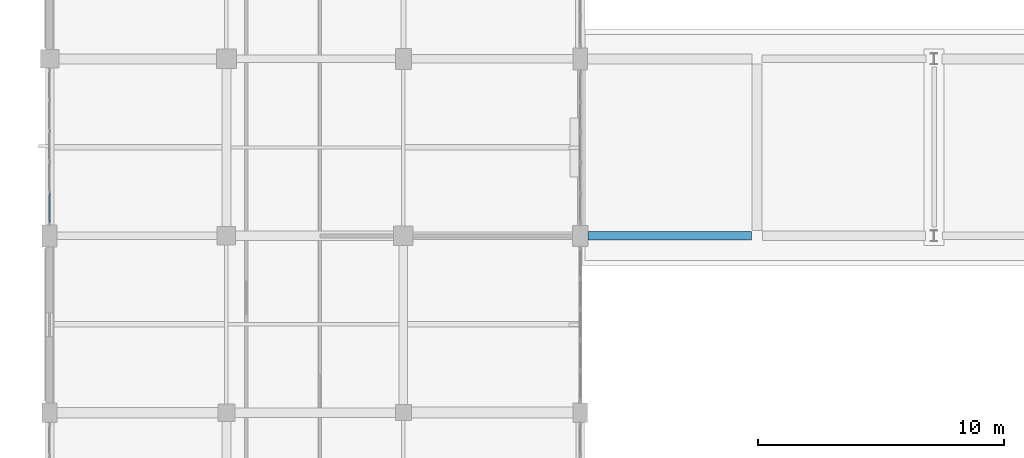
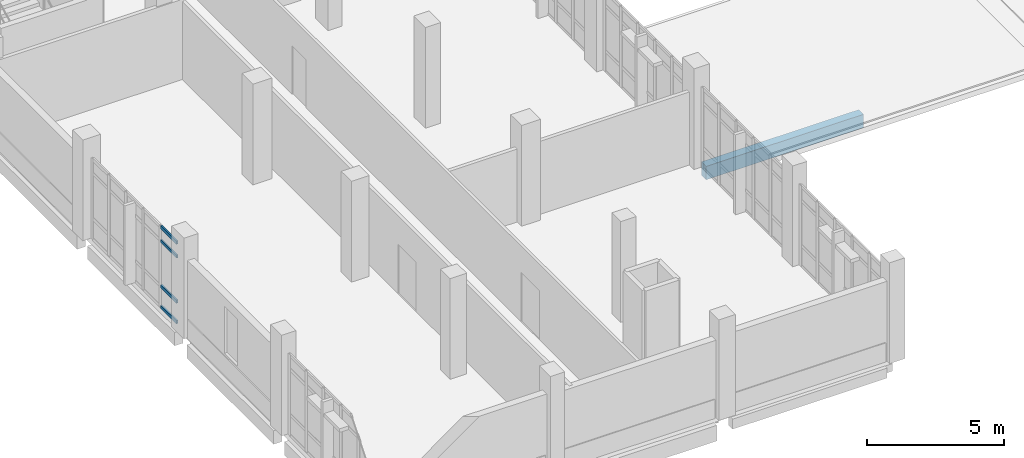
# One storey, part 14 of 134: 4 members, 1 beam, 1 element without a shape of its own.
"""IFC4 building model written with IfcOpenShell, lengths in metres."""

from ifc_helpers import new_model, si_unit, direction, frame, origin, origin_2d, place, context, subcontext, project, spatial, rectangle, hollow_rectangle, extrude, material, material_profile, profile_set, type_object, element, aggregate, save


model = new_model("IFC4")

# Units and contexts
model_context = context("Model", 3, precision=1e-05, world=origin(), true_north=direction((0.0, 1.0)))
body_context = subcontext(model_context, "Body", "Model", "MODEL_VIEW")
ifc_project = project(units=[si_unit("LENGTHUNIT", "METRE"), si_unit("AREAUNIT", "SQUARE_METRE"), si_unit("VOLUMEUNIT", "CUBIC_METRE"), si_unit("PLANEANGLEUNIT", "RADIAN"), si_unit("MASSUNIT", "GRAM", prefix="KILO")], contexts=[model_context])

# Site, building, storey
site_placement = place(None, origin())
site = spatial("IfcSite", under=ifc_project, at=site_placement, CompositionType="ELEMENT")
building_placement = place(site_placement, origin())
building = spatial("IfcBuilding", under=site, at=building_placement, Name="Kalluvel Institute of Natural Sciences", CompositionType="ELEMENT")
storey_placement = place(building_placement, frame((0.0, 0.0, 5.39990234375)))
storey = spatial("IfcBuildingStorey", under=building, at=storey_placement, Name="L01", CompositionType="ELEMENT", Elevation=5.39990234375)

# Curtain wall, members
ifc_material_1 = material(Name="Aluminium AW-6063 T6", Category="aluminium")
curtain_wall_type = type_object("IfcCurtainWallType", Name="CW-DRY-45", PredefinedType="USERDEFINED", material=ifc_material_1)
curtain_wall_placement = place(storey_placement, origin())
curtain_wall = element("IfcCurtainWall", 1, at=curtain_wall_placement, inside=storey, type_object=curtain_wall_type, Name="L01 Gothic lancet curtain wall CWA-L01-X140-Y289", ObjectType="UNITISED LANCET FACADE", PredefinedType="USERDEFINED")
ifc_material_profile_1 = material_profile(ifc_material_1, hollow_rectangle(XDim=0.06494140625, YDim=0.139892578125, WallThickness=0.00439453125, at=origin_2d()), Name="CWT 65x140")
ifc_profile_set_1 = profile_set([ifc_material_profile_1], Name="Aluminium AW-6063 T6")
member_type = type_object("IfcMemberType", Name="CWT-65x140", PredefinedType="USERDEFINED", material=ifc_profile_set_1)
member_1_placement = place(storey_placement, frame((14.0, 28.965087890625, 0.03271484375), z_axis=(0.0, 1.0, 0.0), x_axis=(-1.0, 0.0, 0.0)))
member_1 = element("IfcMember", 2, at=member_1_placement, type_object=member_type, Name="CW-03 transom 1.1", ObjectType="TRANSOM", PredefinedType="USERDEFINED", context=body_context, shape_type="SweptSolid", body=[
    extrude(hollow_rectangle(XDim=0.06494140625, YDim=0.139892578125, WallThickness=0.00439453125, at=origin_2d()), origin(), (0.0, 0.0, 1.0), 1.157470703125),
])
member_2_placement = place(storey_placement, frame((14.0, 28.965087890625, 0.9501953125), z_axis=(0.0, 1.0, 0.0), x_axis=(-1.0, 0.0, 0.0)))
member_2 = element("IfcMember", 3, at=member_2_placement, type_object=member_type, Name="CW-03 transom 1.2", ObjectType="TRANSOM", PredefinedType="USERDEFINED", context=body_context, shape_type="SweptSolid", body=[
    extrude(hollow_rectangle(XDim=0.06494140625, YDim=0.139892578125, WallThickness=0.00439453125, at=origin_2d()), origin(), (0.0, 0.0, 1.0), 1.157470703125),
])
member_3_placement = place(storey_placement, frame((14.0, 28.965087890625, 2.97021484375), z_axis=(0.0, 1.0, 0.0), x_axis=(-1.0, 0.0, 0.0)))
member_3 = element("IfcMember", 4, at=member_3_placement, type_object=member_type, Name="CW-03 transom 1.3", ObjectType="TRANSOM", PredefinedType="USERDEFINED", context=body_context, shape_type="SweptSolid", body=[
    extrude(hollow_rectangle(XDim=0.06494140625, YDim=0.139892578125, WallThickness=0.00439453125, at=origin_2d()), origin(), (0.0, 0.0, 1.0), 1.157470703125),
])
member_4_placement = place(storey_placement, frame((14.0, 28.965087890625, 3.587646484375), z_axis=(0.0, 1.0, 0.0), x_axis=(-1.0, 0.0, 0.0)))
member_4 = element("IfcMember", 5, at=member_4_placement, type_object=member_type, Name="CW-03 transom 1.4", ObjectType="TRANSOM", PredefinedType="USERDEFINED", context=body_context, shape_type="SweptSolid", body=[
    extrude(hollow_rectangle(XDim=0.06494140625, YDim=0.139892578125, WallThickness=0.00439453125, at=origin_2d()), origin(), (0.0, 0.0, 1.0), 1.157470703125),
])
aggregate(curtain_wall, [member_1, member_2, member_3, member_4])

# Beam
ifc_material_2 = material(Name="Concrete M40", Category="concrete")
ifc_material_profile_2 = material_profile(ifc_material_2, rectangle(XDim=0.35009765625, YDim=0.60009765625, at=origin_2d()), Name="RCB 350x600")
ifc_profile_set_2 = profile_set([ifc_material_profile_2], Name="Concrete M40")
beam_type = type_object("IfcBeamType", Name="SP-RC350x600", PredefinedType="SPANDREL", material=ifc_profile_set_2)
beam_placement = place(storey_placement, frame((35.925048828125, 28.39990234375, -0.539794921875), z_axis=(1.0, 0.0, 0.0), x_axis=(0.0, 1.0, 0.0)))
element("IfcBeam", 6, at=beam_placement, inside=storey, type_object=beam_type, Name="L01 girder GIR-L01-EW-X356-Y284", PredefinedType="SPANDREL", context=body_context, shape_type="SweptSolid", body=[
    extrude(rectangle(XDim=0.35009765625, YDim=0.60009765625, at=origin_2d()), origin(), (0.0, 0.0, 1.0), 6.64990234375),
])

save(model, "model.ifc")
